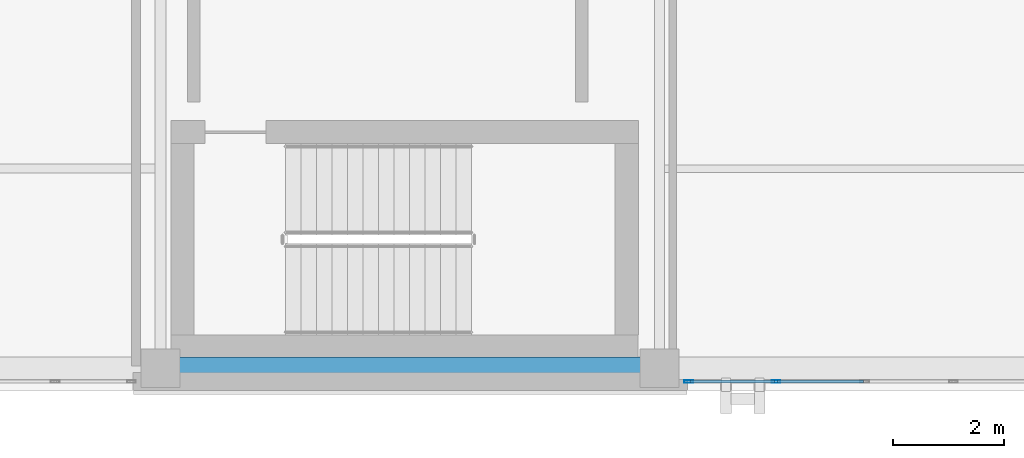
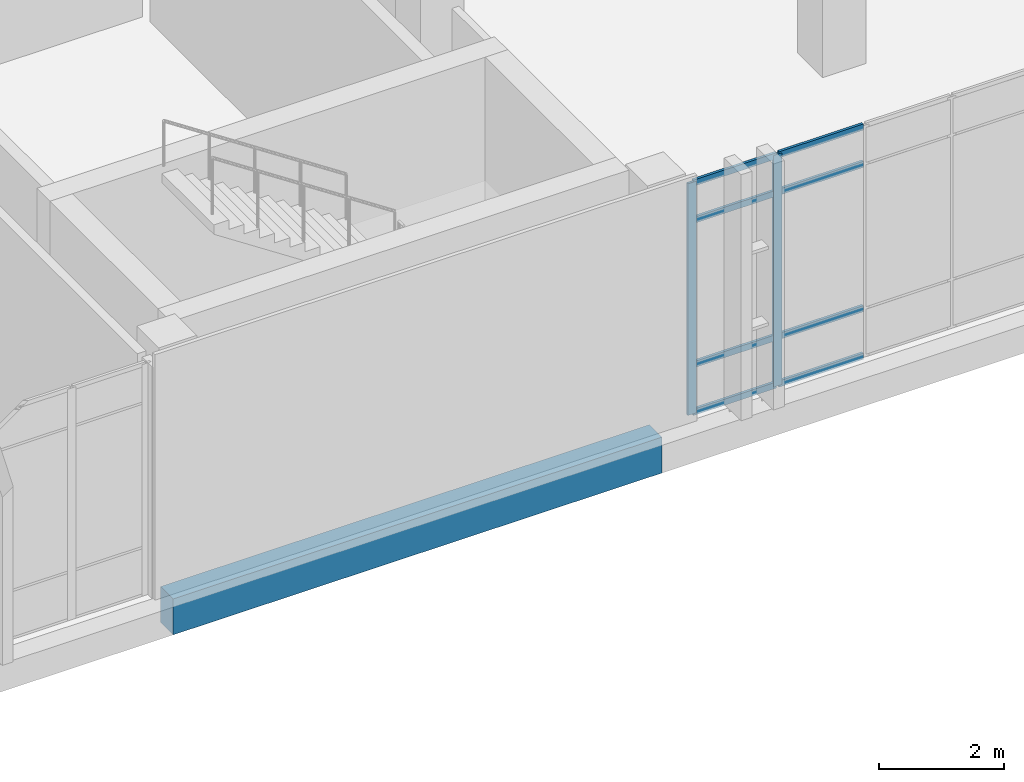
# One storey, part 48 of 189: 10 members, 1 beam, 1 element without a shape of its own.
"""IFC4 building model written with IfcOpenShell, lengths in metres."""

from ifc_helpers import new_model, si_unit, direction, frame, origin, origin_2d, place, context, subcontext, project, spatial, rectangle, hollow_rectangle, extrude, material, layer, layer_set, material_profile, profile_set, type_object, element, aggregate, save


model = new_model("IFC4")

# Units and contexts
model_context = context("Model", 3, precision=1e-05, world=origin(), true_north=direction((0.0, 1.0)))
body_context = subcontext(model_context, "Body", "Model", "MODEL_VIEW")
ifc_project = project(units=[si_unit("LENGTHUNIT", "METRE"), si_unit("AREAUNIT", "SQUARE_METRE"), si_unit("VOLUMEUNIT", "CUBIC_METRE"), si_unit("PLANEANGLEUNIT", "RADIAN"), si_unit("MASSUNIT", "GRAM", prefix="KILO")], contexts=[model_context])

# Site, building, storey
site_placement = place(None, origin())
site = spatial("IfcSite", under=ifc_project, at=site_placement, CompositionType="ELEMENT")
building_placement = place(site_placement, origin())
building = spatial("IfcBuilding", under=site, at=building_placement, Name="Qalavern Law Courts", CompositionType="ELEMENT")
storey_placement = place(building_placement, frame((0.0, 0.0, 5.39990234375)))
storey = spatial("IfcBuildingStorey", under=building, at=storey_placement, Name="L01", CompositionType="ELEMENT", Elevation=5.39990234375)

# Curtain wall, members
ifc_material_1 = material(Name="Anodised aluminium and insulated glazing", Category="aluminium")
ifc_layer = layer(ifc_material_1, 0.172119140625)
ifc_layer_set = layer_set([ifc_layer], Name="Anodised aluminium and insulated glazing")
curtain_wall_type = type_object("IfcCurtainWallType", Name="ENV-CW-COURT", PredefinedType="USERDEFINED", material=ifc_layer_set)
curtain_wall_placement = place(storey_placement, origin())
curtain_wall = element("IfcCurtainWall", 1, at=curtain_wall_placement, inside=storey, type_object=curtain_wall_type, Name="V6 unitised curtain wall L01 south 3", ObjectType="UNITISED CURTAIN WALL", PredefinedType="USERDEFINED")
ifc_material_2 = material(Name="Anodised aluminium", Category="aluminium")
ifc_material_profile_1 = material_profile(ifc_material_2, hollow_rectangle(XDim=0.048095703125, YDim=0.159912109375, WallThickness=0.00390625, at=origin_2d()), Name="ALU MULLION 48x160")
ifc_profile_set_1 = profile_set([ifc_material_profile_1], Name="Anodised aluminium")
member_type_1 = type_object("IfcMemberType", Name="ENV-CWM-48x160", PredefinedType="MULLION", material=ifc_profile_set_1)
member_1_placement = place(storey_placement, frame((127.323974609375, 1.16259765625, 0.0), z_axis=(0.0, 0.0, 1.0), x_axis=(0.0, 1.0, 0.0)))
member_1 = element("IfcMember", 2, at=member_1_placement, type_object=member_type_1, Name="CW-03 mullion 1", PredefinedType="MULLION", context=body_context, shape_type="SweptSolid", body=[
    extrude(hollow_rectangle(XDim=0.048095703125, YDim=0.159912109375, WallThickness=0.00390625, at=origin_2d()), origin(), (0.0, 0.0, 1.0), 4.510009765625),
])
member_2_placement = place(storey_placement, frame((128.89990234375, 1.16259765625, 0.0), z_axis=(0.0, 0.0, 1.0), x_axis=(0.0, 1.0, 0.0)))
member_2 = element("IfcMember", 3, at=member_2_placement, type_object=member_type_1, Name="CW-03 mullion 2", PredefinedType="MULLION", context=body_context, shape_type="SweptSolid", body=[
    extrude(hollow_rectangle(XDim=0.048095703125, YDim=0.159912109375, WallThickness=0.00390625, at=origin_2d()), origin(), (0.0, 0.0, 1.0), 4.510009765625),
])
ifc_material_profile_2 = material_profile(ifc_material_2, hollow_rectangle(XDim=0.048095703125, YDim=0.1201171875, WallThickness=0.00390625, at=origin_2d()), Name="ALU TRANSOM 48x120")
ifc_profile_set_2 = profile_set([ifc_material_profile_2], Name="Anodised aluminium")
member_type_2 = type_object("IfcMemberType", Name="ENV-CWT-48x120", PredefinedType="USERDEFINED", material=ifc_profile_set_2)
member_3_placement = place(storey_placement, frame((127.347900390625, 1.16259765625, 0.024169921875), z_axis=(1.0, 0.0, 0.0), x_axis=(0.0, 1.0, 0.0)))
member_3 = element("IfcMember", 4, at=member_3_placement, type_object=member_type_2, Name="CW-03 transom 1.1", ObjectType="TRANSOM", PredefinedType="USERDEFINED", context=body_context, shape_type="SweptSolid", body=[
    extrude(hollow_rectangle(XDim=0.048095703125, YDim=0.1201171875, WallThickness=0.00390625, at=origin_2d()), origin(), (0.0, 0.0, 1.0), 1.528076171875),
])
member_4_placement = place(storey_placement, frame((127.347900390625, 1.16259765625, 0.9501953125), z_axis=(1.0, 0.0, 0.0), x_axis=(0.0, 1.0, 0.0)))
member_4 = element("IfcMember", 5, at=member_4_placement, type_object=member_type_2, Name="CW-03 transom 1.2", ObjectType="TRANSOM", PredefinedType="USERDEFINED", context=body_context, shape_type="SweptSolid", body=[
    extrude(hollow_rectangle(XDim=0.048095703125, YDim=0.1201171875, WallThickness=0.00390625, at=origin_2d()), origin(), (0.0, 0.0, 1.0), 1.528076171875),
])
member_5_placement = place(storey_placement, frame((127.347900390625, 1.16259765625, 3.760009765625), z_axis=(1.0, 0.0, 0.0), x_axis=(0.0, 1.0, 0.0)))
member_5 = element("IfcMember", 6, at=member_5_placement, type_object=member_type_2, Name="CW-03 transom 1.3", ObjectType="TRANSOM", PredefinedType="USERDEFINED", context=body_context, shape_type="SweptSolid", body=[
    extrude(hollow_rectangle(XDim=0.048095703125, YDim=0.1201171875, WallThickness=0.00390625, at=origin_2d()), origin(), (0.0, 0.0, 1.0), 1.528076171875),
])
member_6_placement = place(storey_placement, frame((127.347900390625, 1.16259765625, 4.486083984375), z_axis=(1.0, 0.0, 0.0), x_axis=(0.0, 1.0, 0.0)))
member_6 = element("IfcMember", 7, at=member_6_placement, type_object=member_type_2, Name="CW-03 transom 1.4", ObjectType="TRANSOM", PredefinedType="USERDEFINED", context=body_context, shape_type="SweptSolid", body=[
    extrude(hollow_rectangle(XDim=0.048095703125, YDim=0.1201171875, WallThickness=0.00390625, at=origin_2d()), origin(), (0.0, 0.0, 1.0), 1.528076171875),
])
member_7_placement = place(storey_placement, frame((128.924072265625, 1.16259765625, 0.024169921875), z_axis=(1.0, 0.0, 0.0), x_axis=(0.0, 1.0, 0.0)))
member_7 = element("IfcMember", 8, at=member_7_placement, type_object=member_type_2, Name="CW-03 transom 2.1", ObjectType="TRANSOM", PredefinedType="USERDEFINED", context=body_context, shape_type="SweptSolid", body=[
    extrude(hollow_rectangle(XDim=0.048095703125, YDim=0.1201171875, WallThickness=0.00390625, at=origin_2d()), origin(), (0.0, 0.0, 1.0), 1.552001953125),
])
member_8_placement = place(storey_placement, frame((128.924072265625, 1.16259765625, 0.9501953125), z_axis=(1.0, 0.0, 0.0), x_axis=(0.0, 1.0, 0.0)))
member_8 = element("IfcMember", 9, at=member_8_placement, type_object=member_type_2, Name="CW-03 transom 2.2", ObjectType="TRANSOM", PredefinedType="USERDEFINED", context=body_context, shape_type="SweptSolid", body=[
    extrude(hollow_rectangle(XDim=0.048095703125, YDim=0.1201171875, WallThickness=0.00390625, at=origin_2d()), origin(), (0.0, 0.0, 1.0), 1.552001953125),
])
member_9_placement = place(storey_placement, frame((128.924072265625, 1.16259765625, 3.760009765625), z_axis=(1.0, 0.0, 0.0), x_axis=(0.0, 1.0, 0.0)))
member_9 = element("IfcMember", 10, at=member_9_placement, type_object=member_type_2, Name="CW-03 transom 2.3", ObjectType="TRANSOM", PredefinedType="USERDEFINED", context=body_context, shape_type="SweptSolid", body=[
    extrude(hollow_rectangle(XDim=0.048095703125, YDim=0.1201171875, WallThickness=0.00390625, at=origin_2d()), origin(), (0.0, 0.0, 1.0), 1.552001953125),
])
member_10_placement = place(storey_placement, frame((128.924072265625, 1.16259765625, 4.486083984375), z_axis=(1.0, 0.0, 0.0), x_axis=(0.0, 1.0, 0.0)))
member_10 = element("IfcMember", 11, at=member_10_placement, type_object=member_type_2, Name="CW-03 transom 2.4", ObjectType="TRANSOM", PredefinedType="USERDEFINED", context=body_context, shape_type="SweptSolid", body=[
    extrude(hollow_rectangle(XDim=0.048095703125, YDim=0.1201171875, WallThickness=0.00390625, at=origin_2d()), origin(), (0.0, 0.0, 1.0), 1.552001953125),
])
aggregate(curtain_wall, [member_1, member_2, member_3, member_4, member_5, member_6, member_7, member_8, member_9, member_10])

# Beam
ifc_material_3 = material(Name="Concrete C40/50", Category="concrete")
ifc_material_profile_3 = material_profile(ifc_material_3, rectangle(XDim=0.39990234375, YDim=0.699951171875, at=origin_2d()), Name="RC 400x700")
ifc_profile_set_3 = profile_set([ifc_material_profile_3], Name="Concrete C40/50")
beam_type = type_object("IfcBeamType", Name="STR-SP-RC400x700", PredefinedType="SPANDREL", material=ifc_profile_set_3)
beam_placement = place(storey_placement, frame((117.800048828125, 1.39990234375, -0.64990234375), z_axis=(1.0, 0.0, 0.0), x_axis=(0.0, 1.0, 0.0)))
element("IfcBeam", 12, at=beam_placement, inside=storey, type_object=beam_type, Name="V6 X-beam 1-3 L01", PredefinedType="SPANDREL", context=body_context, shape_type="SweptSolid", body=[
    extrude(rectangle(XDim=0.39990234375, YDim=0.699951171875, at=origin_2d()), origin(), (0.0, 0.0, 1.0), 9.0),
])

save(model, "model.ifc")
